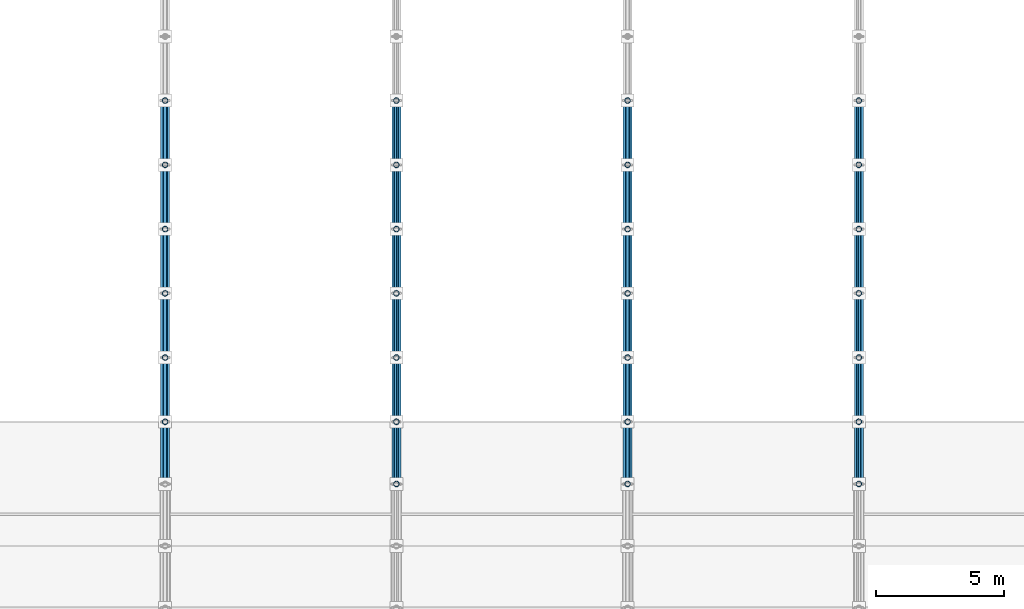
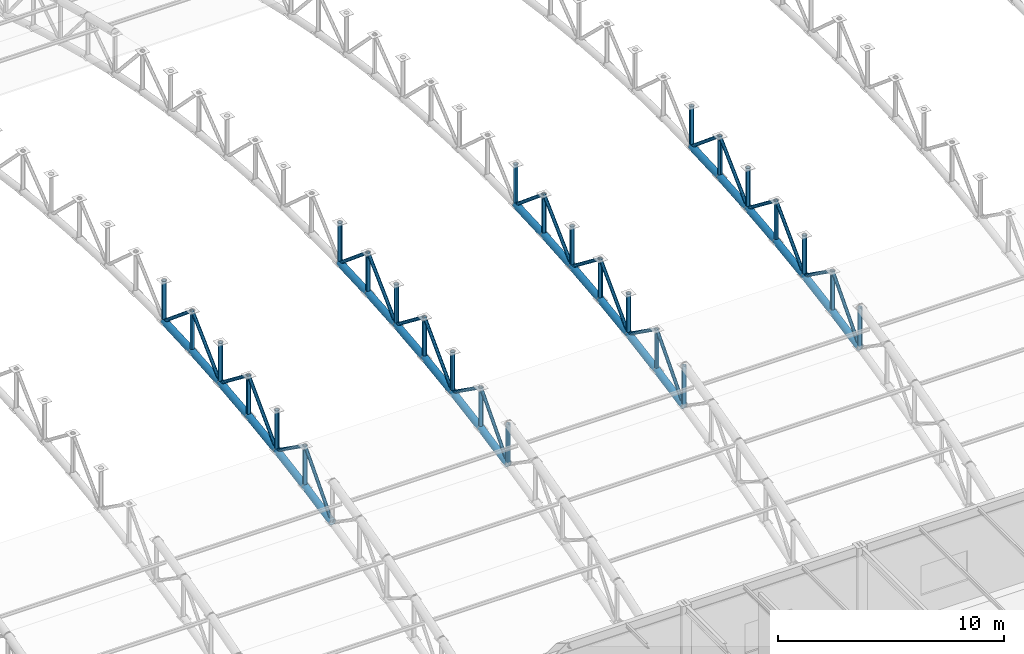
# One storey, part 72 of 195: 75 members.
"""IFC4 building model written with IfcOpenShell, lengths in metres."""

from ifc_helpers import new_model, si_unit, direction, frame, origin, origin_2d, place, context, subcontext, project, spatial, hollow_circle, extrude, material, material_profile, profile_set, type_object, element, save


model = new_model("IFC4")

# Units and contexts
model_context = context("Model", 3, precision=1e-05, world=origin(), true_north=direction((0.0, 1.0)))
body_context = subcontext(model_context, "Body", "Model", "MODEL_VIEW")
ifc_project = project(units=[si_unit("LENGTHUNIT", "METRE"), si_unit("AREAUNIT", "SQUARE_METRE"), si_unit("VOLUMEUNIT", "CUBIC_METRE"), si_unit("PLANEANGLEUNIT", "RADIAN"), si_unit("MASSUNIT", "GRAM", prefix="KILO")], contexts=[model_context])

# Site, building, storey
site_placement = place(None, origin())
site = spatial("IfcSite", under=ifc_project, at=site_placement, CompositionType="ELEMENT")
building_placement = place(site_placement, origin())
building = spatial("IfcBuilding", under=site, at=building_placement, Name="Marlcrest Central Station", CompositionType="ELEMENT")
storey_placement = place(building_placement, frame((0.0, 0.0, 9.800048828125)))
storey = spatial("IfcBuildingStorey", under=building, at=storey_placement, Name="L02", CompositionType="ELEMENT", Elevation=9.800048828125)

# Members
ifc_material = material(Name="Steel S355", Category="steel")
ifc_material_profile_1 = material_profile(ifc_material, hollow_circle(Radius=0.177734375, WallThickness=0.01611328125, at=origin_2d()), Name="CHS 355.6x16")
ifc_profile_set_1 = profile_set([ifc_material_profile_1], Name="Steel S355")
member_type_1 = type_object("IfcMemberType", Name="AC-02", PredefinedType="CHORD", material=ifc_profile_set_1)
member_1_placement = place(storey_placement, frame((162.0, 48.580078125, 2.9169921875), z_axis=(0.0, 0.980359417961, 0.197219196874), x_axis=(-1.0, 0.0, 0.0)))
element("IfcMember", 1, at=member_1_placement, inside=storey, type_object=member_type_1, Name="mem-AC-02-L02-01345", PredefinedType="CHORD", context=body_context, shape_type="SweptSolid", body=[
    extrude(hollow_circle(Radius=0.177734375, WallThickness=0.01611328125, at=origin_2d()), origin(), (0.0, 0.0, 1.0), 2.468505859375),
])
member_2_placement = place(storey_placement, frame((162.0, 51.0, 3.40380859375), z_axis=(0.0, 0.98574109921, 0.168269086076), x_axis=(-1.0, 0.0, 0.0)))
element("IfcMember", 2, at=member_2_placement, inside=storey, type_object=member_type_1, Name="mem-AC-02-L02-01349", PredefinedType="CHORD", context=body_context, shape_type="SweptSolid", body=[
    extrude(hollow_circle(Radius=0.177734375, WallThickness=0.01611328125, at=origin_2d()), origin(), (0.0, 0.0, 1.0), 2.5361328125),
])
member_3_placement = place(storey_placement, frame((162.0, 53.5, 3.83056640625), z_axis=(0.0, 0.990402740232, 0.138211476152), x_axis=(-1.0, 0.0, 0.0)))
element("IfcMember", 3, at=member_3_placement, inside=storey, type_object=member_type_1, Name="mem-AC-02-L02-01353", PredefinedType="CHORD", context=body_context, shape_type="SweptSolid", body=[
    extrude(hollow_circle(Radius=0.177734375, WallThickness=0.01611328125, at=origin_2d()), origin(), (0.0, 0.0, 1.0), 2.524169921875),
])
member_4_placement = place(storey_placement, frame((162.0, 56.0, 4.179443359375), z_axis=(0.0, 0.994155341034, 0.107959056565), x_axis=(-1.0, 0.0, 0.0)))
element("IfcMember", 4, at=member_4_placement, inside=storey, type_object=member_type_1, Name="mem-AC-02-L02-01357", PredefinedType="CHORD", context=body_context, shape_type="SweptSolid", body=[
    extrude(hollow_circle(Radius=0.177734375, WallThickness=0.01611328125, at=origin_2d()), origin(), (0.0, 0.0, 1.0), 2.5146484375),
])
member_5_placement = place(storey_placement, frame((162.0, 58.5, 4.450927734375), z_axis=(0.0, 0.997007334767, 0.077307014043), x_axis=(-1.0, 0.0, 0.0)))
element("IfcMember", 5, at=member_5_placement, inside=storey, type_object=member_type_1, Name="mem-AC-02-L02-01361", PredefinedType="CHORD", context=body_context, shape_type="SweptSolid", body=[
    extrude(hollow_circle(Radius=0.177734375, WallThickness=0.01611328125, at=origin_2d()), origin(), (0.0, 0.0, 1.0), 2.507568359375),
])
member_6_placement = place(storey_placement, frame((162.0, 61.0, 4.644775390625), z_axis=(0.0, 0.998916819647, 0.046531574509), x_axis=(-1.0, 0.0, 0.0)))
element("IfcMember", 6, at=member_6_placement, inside=storey, type_object=member_type_1, Name="mem-AC-02-L02-01365", PredefinedType="CHORD", context=body_context, shape_type="SweptSolid", body=[
    extrude(hollow_circle(Radius=0.177734375, WallThickness=0.01611328125, at=origin_2d()), origin(), (0.0, 0.0, 1.0), 2.502685546875),
])
member_7_placement = place(storey_placement, frame((171.0, 48.580078125, 2.9169921875), z_axis=(0.0, 0.980359417961, 0.197219196874), x_axis=(-1.0, 0.0, 0.0)))
element("IfcMember", 7, at=member_7_placement, inside=storey, type_object=member_type_1, Name="mem-AC-02-L02-01461", PredefinedType="CHORD", context=body_context, shape_type="SweptSolid", body=[
    extrude(hollow_circle(Radius=0.177734375, WallThickness=0.01611328125, at=origin_2d()), origin(), (0.0, 0.0, 1.0), 2.468505859375),
])
member_8_placement = place(storey_placement, frame((171.0, 51.0, 3.40380859375), z_axis=(0.0, 0.98574109921, 0.168269086076), x_axis=(-1.0, 0.0, 0.0)))
element("IfcMember", 8, at=member_8_placement, inside=storey, type_object=member_type_1, Name="mem-AC-02-L02-01465", PredefinedType="CHORD", context=body_context, shape_type="SweptSolid", body=[
    extrude(hollow_circle(Radius=0.177734375, WallThickness=0.01611328125, at=origin_2d()), origin(), (0.0, 0.0, 1.0), 2.5361328125),
])
member_9_placement = place(storey_placement, frame((171.0, 53.5, 3.83056640625), z_axis=(0.0, 0.990402740232, 0.138211476152), x_axis=(-1.0, 0.0, 0.0)))
element("IfcMember", 9, at=member_9_placement, inside=storey, type_object=member_type_1, Name="mem-AC-02-L02-01469", PredefinedType="CHORD", context=body_context, shape_type="SweptSolid", body=[
    extrude(hollow_circle(Radius=0.177734375, WallThickness=0.01611328125, at=origin_2d()), origin(), (0.0, 0.0, 1.0), 2.524169921875),
])
member_10_placement = place(storey_placement, frame((171.0, 56.0, 4.179443359375), z_axis=(0.0, 0.994155341034, 0.107959056565), x_axis=(-1.0, 0.0, 0.0)))
element("IfcMember", 10, at=member_10_placement, inside=storey, type_object=member_type_1, Name="mem-AC-02-L02-01473", PredefinedType="CHORD", context=body_context, shape_type="SweptSolid", body=[
    extrude(hollow_circle(Radius=0.177734375, WallThickness=0.01611328125, at=origin_2d()), origin(), (0.0, 0.0, 1.0), 2.5146484375),
])
member_11_placement = place(storey_placement, frame((171.0, 58.5, 4.450927734375), z_axis=(0.0, 0.997007334767, 0.077307014043), x_axis=(-1.0, 0.0, 0.0)))
element("IfcMember", 11, at=member_11_placement, inside=storey, type_object=member_type_1, Name="mem-AC-02-L02-01477", PredefinedType="CHORD", context=body_context, shape_type="SweptSolid", body=[
    extrude(hollow_circle(Radius=0.177734375, WallThickness=0.01611328125, at=origin_2d()), origin(), (0.0, 0.0, 1.0), 2.507568359375),
])
member_12_placement = place(storey_placement, frame((171.0, 61.0, 4.644775390625), z_axis=(0.0, 0.998916819647, 0.046531574509), x_axis=(-1.0, 0.0, 0.0)))
element("IfcMember", 12, at=member_12_placement, inside=storey, type_object=member_type_1, Name="mem-AC-02-L02-01481", PredefinedType="CHORD", context=body_context, shape_type="SweptSolid", body=[
    extrude(hollow_circle(Radius=0.177734375, WallThickness=0.01611328125, at=origin_2d()), origin(), (0.0, 0.0, 1.0), 2.502685546875),
])
member_13_placement = place(storey_placement, frame((180.0, 48.580078125, 2.9169921875), z_axis=(0.0, 0.980359417961, 0.197219196874), x_axis=(-1.0, 0.0, 0.0)))
element("IfcMember", 13, at=member_13_placement, inside=storey, type_object=member_type_1, Name="mem-AC-02-L02-01577", PredefinedType="CHORD", context=body_context, shape_type="SweptSolid", body=[
    extrude(hollow_circle(Radius=0.177734375, WallThickness=0.01611328125, at=origin_2d()), origin(), (0.0, 0.0, 1.0), 2.468505859375),
])
member_14_placement = place(storey_placement, frame((180.0, 51.0, 3.40380859375), z_axis=(0.0, 0.98574109921, 0.168269086076), x_axis=(-1.0, 0.0, 0.0)))
element("IfcMember", 14, at=member_14_placement, inside=storey, type_object=member_type_1, Name="mem-AC-02-L02-01581", PredefinedType="CHORD", context=body_context, shape_type="SweptSolid", body=[
    extrude(hollow_circle(Radius=0.177734375, WallThickness=0.01611328125, at=origin_2d()), origin(), (0.0, 0.0, 1.0), 2.5361328125),
])
member_15_placement = place(storey_placement, frame((180.0, 53.5, 3.83056640625), z_axis=(0.0, 0.990402740232, 0.138211476152), x_axis=(-1.0, 0.0, 0.0)))
element("IfcMember", 15, at=member_15_placement, inside=storey, type_object=member_type_1, Name="mem-AC-02-L02-01585", PredefinedType="CHORD", context=body_context, shape_type="SweptSolid", body=[
    extrude(hollow_circle(Radius=0.177734375, WallThickness=0.01611328125, at=origin_2d()), origin(), (0.0, 0.0, 1.0), 2.524169921875),
])
member_16_placement = place(storey_placement, frame((180.0, 56.0, 4.179443359375), z_axis=(0.0, 0.994155341034, 0.107959056565), x_axis=(-1.0, 0.0, 0.0)))
element("IfcMember", 16, at=member_16_placement, inside=storey, type_object=member_type_1, Name="mem-AC-02-L02-01589", PredefinedType="CHORD", context=body_context, shape_type="SweptSolid", body=[
    extrude(hollow_circle(Radius=0.177734375, WallThickness=0.01611328125, at=origin_2d()), origin(), (0.0, 0.0, 1.0), 2.5146484375),
])
member_17_placement = place(storey_placement, frame((180.0, 58.5, 4.450927734375), z_axis=(0.0, 0.997007334767, 0.077307014043), x_axis=(-1.0, 0.0, 0.0)))
element("IfcMember", 17, at=member_17_placement, inside=storey, type_object=member_type_1, Name="mem-AC-02-L02-01593", PredefinedType="CHORD", context=body_context, shape_type="SweptSolid", body=[
    extrude(hollow_circle(Radius=0.177734375, WallThickness=0.01611328125, at=origin_2d()), origin(), (0.0, 0.0, 1.0), 2.507568359375),
])
member_18_placement = place(storey_placement, frame((180.0, 61.0, 4.644775390625), z_axis=(0.0, 0.998916819647, 0.046531574509), x_axis=(-1.0, 0.0, 0.0)))
element("IfcMember", 18, at=member_18_placement, inside=storey, type_object=member_type_1, Name="mem-AC-02-L02-01597", PredefinedType="CHORD", context=body_context, shape_type="SweptSolid", body=[
    extrude(hollow_circle(Radius=0.177734375, WallThickness=0.01611328125, at=origin_2d()), origin(), (0.0, 0.0, 1.0), 2.502685546875),
])
member_19_placement = place(storey_placement, frame((189.0, 48.580078125, 2.9169921875), z_axis=(0.0, 0.980359417961, 0.197219196874), x_axis=(-1.0, 0.0, 0.0)))
element("IfcMember", 19, at=member_19_placement, inside=storey, type_object=member_type_1, Name="mem-AC-02-L02-01693", PredefinedType="CHORD", context=body_context, shape_type="SweptSolid", body=[
    extrude(hollow_circle(Radius=0.177734375, WallThickness=0.01611328125, at=origin_2d()), origin(), (0.0, 0.0, 1.0), 2.468505859375),
])
member_20_placement = place(storey_placement, frame((189.0, 51.0, 3.40380859375), z_axis=(0.0, 0.98574109921, 0.168269086076), x_axis=(-1.0, 0.0, 0.0)))
element("IfcMember", 20, at=member_20_placement, inside=storey, type_object=member_type_1, Name="mem-AC-02-L02-01697", PredefinedType="CHORD", context=body_context, shape_type="SweptSolid", body=[
    extrude(hollow_circle(Radius=0.177734375, WallThickness=0.01611328125, at=origin_2d()), origin(), (0.0, 0.0, 1.0), 2.5361328125),
])
member_21_placement = place(storey_placement, frame((189.0, 53.5, 3.83056640625), z_axis=(0.0, 0.990402740232, 0.138211476152), x_axis=(-1.0, 0.0, 0.0)))
element("IfcMember", 21, at=member_21_placement, inside=storey, type_object=member_type_1, Name="mem-AC-02-L02-01701", PredefinedType="CHORD", context=body_context, shape_type="SweptSolid", body=[
    extrude(hollow_circle(Radius=0.177734375, WallThickness=0.01611328125, at=origin_2d()), origin(), (0.0, 0.0, 1.0), 2.524169921875),
])
member_22_placement = place(storey_placement, frame((189.0, 56.0, 4.179443359375), z_axis=(0.0, 0.994155341034, 0.107959056565), x_axis=(-1.0, 0.0, 0.0)))
element("IfcMember", 22, at=member_22_placement, inside=storey, type_object=member_type_1, Name="mem-AC-02-L02-01705", PredefinedType="CHORD", context=body_context, shape_type="SweptSolid", body=[
    extrude(hollow_circle(Radius=0.177734375, WallThickness=0.01611328125, at=origin_2d()), origin(), (0.0, 0.0, 1.0), 2.5146484375),
])
member_23_placement = place(storey_placement, frame((189.0, 58.5, 4.450927734375), z_axis=(0.0, 0.997007334767, 0.077307014043), x_axis=(-1.0, 0.0, 0.0)))
element("IfcMember", 23, at=member_23_placement, inside=storey, type_object=member_type_1, Name="mem-AC-02-L02-01709", PredefinedType="CHORD", context=body_context, shape_type="SweptSolid", body=[
    extrude(hollow_circle(Radius=0.177734375, WallThickness=0.01611328125, at=origin_2d()), origin(), (0.0, 0.0, 1.0), 2.507568359375),
])
member_24_placement = place(storey_placement, frame((189.0, 61.0, 4.644775390625), z_axis=(0.0, 0.998916819647, 0.046531574509), x_axis=(-1.0, 0.0, 0.0)))
element("IfcMember", 24, at=member_24_placement, inside=storey, type_object=member_type_1, Name="mem-AC-02-L02-01713", PredefinedType="CHORD", context=body_context, shape_type="SweptSolid", body=[
    extrude(hollow_circle(Radius=0.177734375, WallThickness=0.01611328125, at=origin_2d()), origin(), (0.0, 0.0, 1.0), 2.502685546875),
])
ifc_material_profile_2 = material_profile(ifc_material, hollow_circle(Radius=0.084228515625, WallThickness=0.010009765625, at=origin_2d()), Name="CHS 168.3x10")
ifc_profile_set_2 = profile_set([ifc_material_profile_2], Name="Steel S355")
member_type_2 = type_object("IfcMemberType", Name="AD-01", PredefinedType="BRACE", material=ifc_profile_set_2)
member_25_placement = place(storey_placement, frame((162.0, 48.580078125, 2.9169921875), z_axis=(0.0, 0.669244457479, 0.743042297675), x_axis=(-1.0, 0.0, 0.0)))
element("IfcMember", 25, at=member_25_placement, inside=storey, type_object=member_type_2, Name="mem-AD-01-L02-01347", PredefinedType="BRACE", context=body_context, shape_type="SweptSolid", body=[
    extrude(hollow_circle(Radius=0.084228515625, WallThickness=0.010009765625, at=origin_2d()), origin(), (0.0, 0.0, 1.0), 3.615966796875),
])
member_26_placement = place(storey_placement, frame((162.0, 51.0, 5.603759765625), z_axis=(0.0, 0.815661132754, -0.57852996164), x_axis=(-1.0, 0.0, 0.0)))
element("IfcMember", 26, at=member_26_placement, inside=storey, type_object=member_type_2, Name="mem-AD-01-L02-01351", PredefinedType="BRACE", context=body_context, shape_type="SweptSolid", body=[
    extrude(hollow_circle(Radius=0.084228515625, WallThickness=0.010009765625, at=origin_2d()), origin(), (0.0, 0.0, 1.0), 3.06494140625),
])
member_27_placement = place(storey_placement, frame((162.0, 53.5, 3.83056640625), z_axis=(0.0, 0.70023547796, 0.713911952139), x_axis=(-1.0, 0.0, 0.0)))
element("IfcMember", 27, at=member_27_placement, inside=storey, type_object=member_type_2, Name="mem-AD-01-L02-01355", PredefinedType="BRACE", context=body_context, shape_type="SweptSolid", body=[
    extrude(hollow_circle(Radius=0.084228515625, WallThickness=0.010009765625, at=origin_2d()), origin(), (0.0, 0.0, 1.0), 3.5703125),
])
member_28_placement = place(storey_placement, frame((162.0, 56.0, 6.37939453125), z_axis=(0.0, 0.791798282026, -0.610782678684), x_axis=(-1.0, 0.0, 0.0)))
element("IfcMember", 28, at=member_28_placement, inside=storey, type_object=member_type_2, Name="mem-AD-01-L02-01359", PredefinedType="BRACE", context=body_context, shape_type="SweptSolid", body=[
    extrude(hollow_circle(Radius=0.084228515625, WallThickness=0.010009765625, at=origin_2d()), origin(), (0.0, 0.0, 1.0), 3.157470703125),
])
member_29_placement = place(storey_placement, frame((162.0, 58.5, 4.450927734375), z_axis=(0.0, 0.722246537655, 0.691635698071), x_axis=(-1.0, 0.0, 0.0)))
element("IfcMember", 29, at=member_29_placement, inside=storey, type_object=member_type_2, Name="mem-AD-01-L02-01363", PredefinedType="BRACE", context=body_context, shape_type="SweptSolid", body=[
    extrude(hollow_circle(Radius=0.084228515625, WallThickness=0.010009765625, at=origin_2d()), origin(), (0.0, 0.0, 1.0), 3.46142578125),
])
member_30_placement = place(storey_placement, frame((162.0, 61.0, 6.844970703125), z_axis=(0.0, 0.768159787854, -0.640258182552), x_axis=(-1.0, 0.0, 0.0)))
element("IfcMember", 30, at=member_30_placement, inside=storey, type_object=member_type_2, Name="mem-AD-01-L02-01367", PredefinedType="BRACE", context=body_context, shape_type="SweptSolid", body=[
    extrude(hollow_circle(Radius=0.084228515625, WallThickness=0.010009765625, at=origin_2d()), origin(), (0.0, 0.0, 1.0), 3.254638671875),
])
member_31_placement = place(storey_placement, frame((171.0, 48.580078125, 2.9169921875), z_axis=(0.0, 0.669244457479, 0.743042297675), x_axis=(-1.0, 0.0, 0.0)))
element("IfcMember", 31, at=member_31_placement, inside=storey, type_object=member_type_2, Name="mem-AD-01-L02-01463", PredefinedType="BRACE", context=body_context, shape_type="SweptSolid", body=[
    extrude(hollow_circle(Radius=0.084228515625, WallThickness=0.010009765625, at=origin_2d()), origin(), (0.0, 0.0, 1.0), 3.615966796875),
])
member_32_placement = place(storey_placement, frame((171.0, 51.0, 5.603759765625), z_axis=(0.0, 0.815661132754, -0.57852996164), x_axis=(-1.0, 0.0, 0.0)))
element("IfcMember", 32, at=member_32_placement, inside=storey, type_object=member_type_2, Name="mem-AD-01-L02-01467", PredefinedType="BRACE", context=body_context, shape_type="SweptSolid", body=[
    extrude(hollow_circle(Radius=0.084228515625, WallThickness=0.010009765625, at=origin_2d()), origin(), (0.0, 0.0, 1.0), 3.06494140625),
])
member_33_placement = place(storey_placement, frame((171.0, 53.5, 3.83056640625), z_axis=(0.0, 0.70023547796, 0.713911952139), x_axis=(-1.0, 0.0, 0.0)))
element("IfcMember", 33, at=member_33_placement, inside=storey, type_object=member_type_2, Name="mem-AD-01-L02-01471", PredefinedType="BRACE", context=body_context, shape_type="SweptSolid", body=[
    extrude(hollow_circle(Radius=0.084228515625, WallThickness=0.010009765625, at=origin_2d()), origin(), (0.0, 0.0, 1.0), 3.5703125),
])
member_34_placement = place(storey_placement, frame((171.0, 56.0, 6.37939453125), z_axis=(0.0, 0.791798282026, -0.610782678684), x_axis=(-1.0, 0.0, 0.0)))
element("IfcMember", 34, at=member_34_placement, inside=storey, type_object=member_type_2, Name="mem-AD-01-L02-01475", PredefinedType="BRACE", context=body_context, shape_type="SweptSolid", body=[
    extrude(hollow_circle(Radius=0.084228515625, WallThickness=0.010009765625, at=origin_2d()), origin(), (0.0, 0.0, 1.0), 3.157470703125),
])
member_35_placement = place(storey_placement, frame((171.0, 58.5, 4.450927734375), z_axis=(0.0, 0.722246537655, 0.691635698071), x_axis=(-1.0, 0.0, 0.0)))
element("IfcMember", 35, at=member_35_placement, inside=storey, type_object=member_type_2, Name="mem-AD-01-L02-01479", PredefinedType="BRACE", context=body_context, shape_type="SweptSolid", body=[
    extrude(hollow_circle(Radius=0.084228515625, WallThickness=0.010009765625, at=origin_2d()), origin(), (0.0, 0.0, 1.0), 3.46142578125),
])
member_36_placement = place(storey_placement, frame((171.0, 61.0, 6.844970703125), z_axis=(0.0, 0.768159787854, -0.640258182552), x_axis=(-1.0, 0.0, 0.0)))
element("IfcMember", 36, at=member_36_placement, inside=storey, type_object=member_type_2, Name="mem-AD-01-L02-01483", PredefinedType="BRACE", context=body_context, shape_type="SweptSolid", body=[
    extrude(hollow_circle(Radius=0.084228515625, WallThickness=0.010009765625, at=origin_2d()), origin(), (0.0, 0.0, 1.0), 3.254638671875),
])
member_37_placement = place(storey_placement, frame((180.0, 48.580078125, 2.9169921875), z_axis=(0.0, 0.669244457479, 0.743042297675), x_axis=(-1.0, 0.0, 0.0)))
element("IfcMember", 37, at=member_37_placement, inside=storey, type_object=member_type_2, Name="mem-AD-01-L02-01579", PredefinedType="BRACE", context=body_context, shape_type="SweptSolid", body=[
    extrude(hollow_circle(Radius=0.084228515625, WallThickness=0.010009765625, at=origin_2d()), origin(), (0.0, 0.0, 1.0), 3.615966796875),
])
member_38_placement = place(storey_placement, frame((180.0, 51.0, 5.603759765625), z_axis=(0.0, 0.815661132754, -0.57852996164), x_axis=(-1.0, 0.0, 0.0)))
element("IfcMember", 38, at=member_38_placement, inside=storey, type_object=member_type_2, Name="mem-AD-01-L02-01583", PredefinedType="BRACE", context=body_context, shape_type="SweptSolid", body=[
    extrude(hollow_circle(Radius=0.084228515625, WallThickness=0.010009765625, at=origin_2d()), origin(), (0.0, 0.0, 1.0), 3.06494140625),
])
member_39_placement = place(storey_placement, frame((180.0, 53.5, 3.83056640625), z_axis=(0.0, 0.70023547796, 0.713911952139), x_axis=(-1.0, 0.0, 0.0)))
element("IfcMember", 39, at=member_39_placement, inside=storey, type_object=member_type_2, Name="mem-AD-01-L02-01587", PredefinedType="BRACE", context=body_context, shape_type="SweptSolid", body=[
    extrude(hollow_circle(Radius=0.084228515625, WallThickness=0.010009765625, at=origin_2d()), origin(), (0.0, 0.0, 1.0), 3.5703125),
])
member_40_placement = place(storey_placement, frame((180.0, 56.0, 6.37939453125), z_axis=(0.0, 0.791798282026, -0.610782678684), x_axis=(-1.0, 0.0, 0.0)))
element("IfcMember", 40, at=member_40_placement, inside=storey, type_object=member_type_2, Name="mem-AD-01-L02-01591", PredefinedType="BRACE", context=body_context, shape_type="SweptSolid", body=[
    extrude(hollow_circle(Radius=0.084228515625, WallThickness=0.010009765625, at=origin_2d()), origin(), (0.0, 0.0, 1.0), 3.157470703125),
])
member_41_placement = place(storey_placement, frame((180.0, 58.5, 4.450927734375), z_axis=(0.0, 0.722246537655, 0.691635698071), x_axis=(-1.0, 0.0, 0.0)))
element("IfcMember", 41, at=member_41_placement, inside=storey, type_object=member_type_2, Name="mem-AD-01-L02-01595", PredefinedType="BRACE", context=body_context, shape_type="SweptSolid", body=[
    extrude(hollow_circle(Radius=0.084228515625, WallThickness=0.010009765625, at=origin_2d()), origin(), (0.0, 0.0, 1.0), 3.46142578125),
])
member_42_placement = place(storey_placement, frame((180.0, 61.0, 6.844970703125), z_axis=(0.0, 0.768159787854, -0.640258182552), x_axis=(-1.0, 0.0, 0.0)))
element("IfcMember", 42, at=member_42_placement, inside=storey, type_object=member_type_2, Name="mem-AD-01-L02-01599", PredefinedType="BRACE", context=body_context, shape_type="SweptSolid", body=[
    extrude(hollow_circle(Radius=0.084228515625, WallThickness=0.010009765625, at=origin_2d()), origin(), (0.0, 0.0, 1.0), 3.254638671875),
])
member_43_placement = place(storey_placement, frame((189.0, 48.580078125, 2.9169921875), z_axis=(0.0, 0.669244457479, 0.743042297675), x_axis=(-1.0, 0.0, 0.0)))
element("IfcMember", 43, at=member_43_placement, inside=storey, type_object=member_type_2, Name="mem-AD-01-L02-01695", PredefinedType="BRACE", context=body_context, shape_type="SweptSolid", body=[
    extrude(hollow_circle(Radius=0.084228515625, WallThickness=0.010009765625, at=origin_2d()), origin(), (0.0, 0.0, 1.0), 3.615966796875),
])
member_44_placement = place(storey_placement, frame((189.0, 51.0, 5.603759765625), z_axis=(0.0, 0.815661132754, -0.57852996164), x_axis=(-1.0, 0.0, 0.0)))
element("IfcMember", 44, at=member_44_placement, inside=storey, type_object=member_type_2, Name="mem-AD-01-L02-01699", PredefinedType="BRACE", context=body_context, shape_type="SweptSolid", body=[
    extrude(hollow_circle(Radius=0.084228515625, WallThickness=0.010009765625, at=origin_2d()), origin(), (0.0, 0.0, 1.0), 3.06494140625),
])
member_45_placement = place(storey_placement, frame((189.0, 53.5, 3.83056640625), z_axis=(0.0, 0.70023547796, 0.713911952139), x_axis=(-1.0, 0.0, 0.0)))
element("IfcMember", 45, at=member_45_placement, inside=storey, type_object=member_type_2, Name="mem-AD-01-L02-01703", PredefinedType="BRACE", context=body_context, shape_type="SweptSolid", body=[
    extrude(hollow_circle(Radius=0.084228515625, WallThickness=0.010009765625, at=origin_2d()), origin(), (0.0, 0.0, 1.0), 3.5703125),
])
member_46_placement = place(storey_placement, frame((189.0, 56.0, 6.37939453125), z_axis=(0.0, 0.791798282026, -0.610782678684), x_axis=(-1.0, 0.0, 0.0)))
element("IfcMember", 46, at=member_46_placement, inside=storey, type_object=member_type_2, Name="mem-AD-01-L02-01707", PredefinedType="BRACE", context=body_context, shape_type="SweptSolid", body=[
    extrude(hollow_circle(Radius=0.084228515625, WallThickness=0.010009765625, at=origin_2d()), origin(), (0.0, 0.0, 1.0), 3.157470703125),
])
member_47_placement = place(storey_placement, frame((189.0, 58.5, 4.450927734375), z_axis=(0.0, 0.722246537655, 0.691635698071), x_axis=(-1.0, 0.0, 0.0)))
element("IfcMember", 47, at=member_47_placement, inside=storey, type_object=member_type_2, Name="mem-AD-01-L02-01711", PredefinedType="BRACE", context=body_context, shape_type="SweptSolid", body=[
    extrude(hollow_circle(Radius=0.084228515625, WallThickness=0.010009765625, at=origin_2d()), origin(), (0.0, 0.0, 1.0), 3.46142578125),
])
member_48_placement = place(storey_placement, frame((189.0, 61.0, 6.844970703125), z_axis=(0.0, 0.768159787854, -0.640258182552), x_axis=(-1.0, 0.0, 0.0)))
element("IfcMember", 48, at=member_48_placement, inside=storey, type_object=member_type_2, Name="mem-AD-01-L02-01715", PredefinedType="BRACE", context=body_context, shape_type="SweptSolid", body=[
    extrude(hollow_circle(Radius=0.084228515625, WallThickness=0.010009765625, at=origin_2d()), origin(), (0.0, 0.0, 1.0), 3.254638671875),
])
ifc_material_profile_3 = material_profile(ifc_material, hollow_circle(Radius=0.109619140625, WallThickness=0.012451171875, at=origin_2d()), Name="CHS 219.1x12.5")
ifc_profile_set_3 = profile_set([ifc_material_profile_3], Name="Steel S355")
member_type_3 = type_object("IfcMemberType", Name="AP-01", PredefinedType="POST", material=ifc_profile_set_3)
for number, where, z_axis, x_axis, name in (
    (49, (162.0, 51.0, 3.40380859375), (0.0, 0.0, 1.0), (1.0, 0.0, 0.0), "mem-AP-01-L02-01350"),
    (50, (162.0, 53.5, 3.83056640625), (0.0, 0.0, 1.0), (1.0, 0.0, 0.0), "mem-AP-01-L02-01354"),
    (51, (162.0, 56.0, 4.179443359375), (0.0, 0.0, 1.0), (1.0, 0.0, 0.0), "mem-AP-01-L02-01358"),
    (52, (162.0, 58.5, 4.450927734375), (0.0, 0.0, 1.0), (1.0, 0.0, 0.0), "mem-AP-01-L02-01362"),
):
    element("IfcMember", number, at=place(storey_placement, frame(where, z_axis=z_axis, x_axis=x_axis)), inside=storey, type_object=member_type_3, Name=name, PredefinedType="POST", context=body_context, shape_type="SweptSolid", body=[
        extrude(hollow_circle(Radius=0.109619140625, WallThickness=0.012451171875, at=origin_2d()), origin(), (0.0, 0.0, 1.0), 2.199951171875),
    ])
member_49_placement = place(storey_placement, frame((162.0, 61.0, 4.644775390625), z_axis=(0.0, 0.0, 1.0), x_axis=(1.0, 0.0, 0.0)))
element("IfcMember", 53, at=member_49_placement, inside=storey, type_object=member_type_3, Name="mem-AP-01-L02-01366", PredefinedType="POST", context=body_context, shape_type="SweptSolid", body=[
    extrude(hollow_circle(Radius=0.109619140625, WallThickness=0.012451171875, at=origin_2d()), origin(), (0.0, 0.0, 1.0), 2.2001953125),
])
for number, where, z_axis, x_axis, name in (
    (54, (162.0, 63.5, 4.76123046875), (0.0, 0.0, 1.0), (1.0, 0.0, 0.0), "mem-AP-01-L02-01370"),
    (55, (171.0, 48.580078125, 2.9169921875), (0.0, 0.0, 1.0), (1.0, 0.0, 0.0), "mem-AP-01-L02-01462"),
    (56, (171.0, 51.0, 3.40380859375), (0.0, 0.0, 1.0), (1.0, 0.0, 0.0), "mem-AP-01-L02-01466"),
    (57, (171.0, 53.5, 3.83056640625), (0.0, 0.0, 1.0), (1.0, 0.0, 0.0), "mem-AP-01-L02-01470"),
    (58, (171.0, 56.0, 4.179443359375), (0.0, 0.0, 1.0), (1.0, 0.0, 0.0), "mem-AP-01-L02-01474"),
    (59, (171.0, 58.5, 4.450927734375), (0.0, 0.0, 1.0), (1.0, 0.0, 0.0), "mem-AP-01-L02-01478"),
):
    element("IfcMember", number, at=place(storey_placement, frame(where, z_axis=z_axis, x_axis=x_axis)), inside=storey, type_object=member_type_3, Name=name, PredefinedType="POST", context=body_context, shape_type="SweptSolid", body=[
        extrude(hollow_circle(Radius=0.109619140625, WallThickness=0.012451171875, at=origin_2d()), origin(), (0.0, 0.0, 1.0), 2.199951171875),
    ])
member_50_placement = place(storey_placement, frame((171.0, 61.0, 4.644775390625), z_axis=(0.0, 0.0, 1.0), x_axis=(1.0, 0.0, 0.0)))
element("IfcMember", 60, at=member_50_placement, inside=storey, type_object=member_type_3, Name="mem-AP-01-L02-01482", PredefinedType="POST", context=body_context, shape_type="SweptSolid", body=[
    extrude(hollow_circle(Radius=0.109619140625, WallThickness=0.012451171875, at=origin_2d()), origin(), (0.0, 0.0, 1.0), 2.2001953125),
])
for number, where, z_axis, x_axis, name in (
    (61, (171.0, 63.5, 4.76123046875), (0.0, 0.0, 1.0), (1.0, 0.0, 0.0), "mem-AP-01-L02-01486"),
    (62, (180.0, 48.580078125, 2.9169921875), (0.0, 0.0, 1.0), (1.0, 0.0, 0.0), "mem-AP-01-L02-01578"),
    (63, (180.0, 51.0, 3.40380859375), (0.0, 0.0, 1.0), (1.0, 0.0, 0.0), "mem-AP-01-L02-01582"),
    (64, (180.0, 53.5, 3.83056640625), (0.0, 0.0, 1.0), (1.0, 0.0, 0.0), "mem-AP-01-L02-01586"),
    (65, (180.0, 56.0, 4.179443359375), (0.0, 0.0, 1.0), (1.0, 0.0, 0.0), "mem-AP-01-L02-01590"),
    (66, (180.0, 58.5, 4.450927734375), (0.0, 0.0, 1.0), (1.0, 0.0, 0.0), "mem-AP-01-L02-01594"),
):
    element("IfcMember", number, at=place(storey_placement, frame(where, z_axis=z_axis, x_axis=x_axis)), inside=storey, type_object=member_type_3, Name=name, PredefinedType="POST", context=body_context, shape_type="SweptSolid", body=[
        extrude(hollow_circle(Radius=0.109619140625, WallThickness=0.012451171875, at=origin_2d()), origin(), (0.0, 0.0, 1.0), 2.199951171875),
    ])
member_51_placement = place(storey_placement, frame((180.0, 61.0, 4.644775390625), z_axis=(0.0, 0.0, 1.0), x_axis=(1.0, 0.0, 0.0)))
element("IfcMember", 67, at=member_51_placement, inside=storey, type_object=member_type_3, Name="mem-AP-01-L02-01598", PredefinedType="POST", context=body_context, shape_type="SweptSolid", body=[
    extrude(hollow_circle(Radius=0.109619140625, WallThickness=0.012451171875, at=origin_2d()), origin(), (0.0, 0.0, 1.0), 2.2001953125),
])
for number, where, z_axis, x_axis, name in (
    (68, (180.0, 63.5, 4.76123046875), (0.0, 0.0, 1.0), (1.0, 0.0, 0.0), "mem-AP-01-L02-01602"),
    (69, (189.0, 48.580078125, 2.9169921875), (0.0, 0.0, 1.0), (1.0, 0.0, 0.0), "mem-AP-01-L02-01694"),
    (70, (189.0, 51.0, 3.40380859375), (0.0, 0.0, 1.0), (1.0, 0.0, 0.0), "mem-AP-01-L02-01698"),
    (71, (189.0, 53.5, 3.83056640625), (0.0, 0.0, 1.0), (1.0, 0.0, 0.0), "mem-AP-01-L02-01702"),
    (72, (189.0, 56.0, 4.179443359375), (0.0, 0.0, 1.0), (1.0, 0.0, 0.0), "mem-AP-01-L02-01706"),
    (73, (189.0, 58.5, 4.450927734375), (0.0, 0.0, 1.0), (1.0, 0.0, 0.0), "mem-AP-01-L02-01710"),
):
    element("IfcMember", number, at=place(storey_placement, frame(where, z_axis=z_axis, x_axis=x_axis)), inside=storey, type_object=member_type_3, Name=name, PredefinedType="POST", context=body_context, shape_type="SweptSolid", body=[
        extrude(hollow_circle(Radius=0.109619140625, WallThickness=0.012451171875, at=origin_2d()), origin(), (0.0, 0.0, 1.0), 2.199951171875),
    ])
member_52_placement = place(storey_placement, frame((189.0, 61.0, 4.644775390625), z_axis=(0.0, 0.0, 1.0), x_axis=(1.0, 0.0, 0.0)))
element("IfcMember", 74, at=member_52_placement, inside=storey, type_object=member_type_3, Name="mem-AP-01-L02-01714", PredefinedType="POST", context=body_context, shape_type="SweptSolid", body=[
    extrude(hollow_circle(Radius=0.109619140625, WallThickness=0.012451171875, at=origin_2d()), origin(), (0.0, 0.0, 1.0), 2.2001953125),
])
member_53_placement = place(storey_placement, frame((189.0, 63.5, 4.76123046875), z_axis=(0.0, 0.0, 1.0), x_axis=(1.0, 0.0, 0.0)))
element("IfcMember", 75, at=member_53_placement, inside=storey, type_object=member_type_3, Name="mem-AP-01-L02-01718", PredefinedType="POST", context=body_context, shape_type="SweptSolid", body=[
    extrude(hollow_circle(Radius=0.109619140625, WallThickness=0.012451171875, at=origin_2d()), origin(), (0.0, 0.0, 1.0), 2.199951171875),
])

save(model, "model.ifc")
